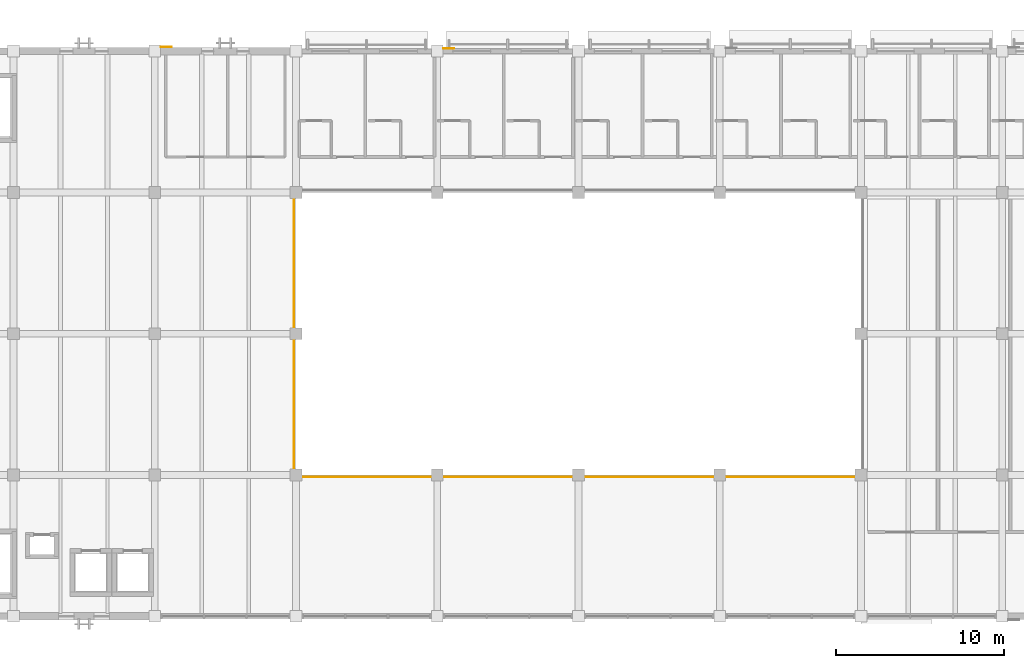
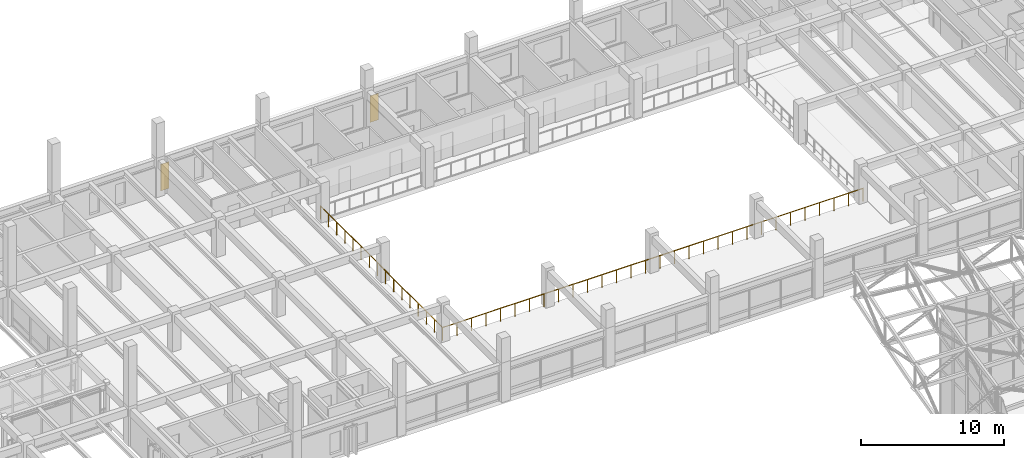
# One storey, part 120 of 123: 2 coverings, 2 railings.
"""IFC4 building model written with IfcOpenShell, lengths in metres."""

from ifc_helpers import new_model, si_unit, direction, frame, origin, origin_2d, place, context, subcontext, project, spatial, polyline, circle, outline, extrude, material, layer, layer_set, type_object, element, save


model = new_model("IFC4")

# Units and contexts
model_context = context("Model", 3, precision=1e-05, world=origin(), true_north=direction((0.0, 1.0)))
body_context = subcontext(model_context, "Body", "Model", "MODEL_VIEW")
ifc_project = project(units=[si_unit("LENGTHUNIT", "METRE"), si_unit("AREAUNIT", "SQUARE_METRE"), si_unit("VOLUMEUNIT", "CUBIC_METRE"), si_unit("PLANEANGLEUNIT", "RADIAN"), si_unit("MASSUNIT", "GRAM", prefix="KILO")], contexts=[model_context])

# Site, building, storey
site_placement = place(None, origin())
site = spatial("IfcSite", under=ifc_project, at=site_placement, CompositionType="ELEMENT")
building_placement = place(site_placement, origin())
building = spatial("IfcBuilding", under=site, at=building_placement, Name="Cumbredor Promenade Congress Hotel", CompositionType="ELEMENT")
storey_placement = place(building_placement, frame((0.0, 0.0, 11.760009765625)))
storey = spatial("IfcBuildingStorey", under=building, at=storey_placement, Name="L03", CompositionType="ELEMENT", Elevation=11.760009765625)

# Covering
ifc_material_1 = material(Name="Precast concrete C40/50", Category="concrete")
ifc_layer_1 = layer(ifc_material_1, 0.044921875, Name="Precast concrete C40/50", Category="concrete")
ifc_layer_set_1 = layer_set([ifc_layer_1], Name="Precast concrete C40/50")
covering_type_1 = type_object("IfcCoveringType", Name="Board-Formed Architectural Cladding Panel 45mm", PredefinedType="CLADDING", material=ifc_layer_set_1)
covering_1_placement = place(storey_placement, origin())
element("IfcCovering", 1, at=covering_1_placement, inside=storey, type_object=covering_type_1, Name="L03 Facade Stone Cladding Pier 144", PredefinedType="CLADDING", context=body_context, shape_type="SweptSolid", body=[
    extrude(outline(polyline([(109.551025390625, 117.824951171875), (110.200927734375, 117.824951171875), (110.200927734375, 117.8701171875), (109.551025390625, 117.8701171875), (109.551025390625, 117.824951171875)])), origin(), (0.0, 0.0, 1.0), 2.25),
])

# Railings
ifc_material_2 = material(Name="Brushed stainless steel", Category="steel")
railing_type = type_object("IfcRailingType", Name="Interior Void & Stair Guardrail GR-1100", PredefinedType="GUARDRAIL", material=ifc_material_2)
railing_1_placement = place(storey_placement, frame((117.47998046875, 92.280029296875, 0.0)))
element("IfcRailing", 2, at=railing_1_placement, inside=storey, type_object=railing_type, Name="L03 v4_forum_atrium Void Perimeter Guardrail 1", PredefinedType="GUARDRAIL", context=body_context, shape_type="SweptSolid", body=[
    extrude(circle(Radius=0.02392578125, at=origin_2d()), frame((0.0, 0.0, 1.09619140625), z_axis=(1.0, 0.0, 0.0), x_axis=(0.0, 1.0, 0.0)), (0.0, 0.0, 1.0), 33.840087890625),
    extrude(circle(Radius=0.02099609375, at=origin_2d()), origin(), (0.0, 0.0, 1.0), 1.072021484375),
    extrude(circle(Radius=0.02099609375, at=origin_2d()), frame((1.1669921875, 0.0, 0.0)), (0.0, 0.0, 1.0), 1.072021484375),
    extrude(circle(Radius=0.02099609375, at=origin_2d()), frame((2.333740234375, 0.0, 0.0)), (0.0, 0.0, 1.0), 1.072021484375),
    extrude(circle(Radius=0.02099609375, at=origin_2d()), frame((3.500732421875, 0.0, 0.0)), (0.0, 0.0, 1.0), 1.072021484375),
    extrude(circle(Radius=0.02099609375, at=origin_2d()), frame((4.66748046875, 0.0, 0.0)), (0.0, 0.0, 1.0), 1.072021484375),
    extrude(circle(Radius=0.02099609375, at=origin_2d()), frame((5.83447265625, 0.0, 0.0)), (0.0, 0.0, 1.0), 1.072021484375),
    extrude(circle(Radius=0.02099609375, at=origin_2d()), frame((7.00146484375, 0.0, 0.0)), (0.0, 0.0, 1.0), 1.072021484375),
    extrude(circle(Radius=0.02099609375, at=origin_2d()), frame((8.168212890625, 0.0, 0.0)), (0.0, 0.0, 1.0), 1.072021484375),
    extrude(circle(Radius=0.02099609375, at=origin_2d()), frame((9.335205078125, 0.0, 0.0)), (0.0, 0.0, 1.0), 1.072021484375),
    extrude(circle(Radius=0.02099609375, at=origin_2d()), frame((10.502197265625, 0.0, 0.0)), (0.0, 0.0, 1.0), 1.072021484375),
    extrude(circle(Radius=0.02099609375, at=origin_2d()), frame((11.6689453125, 0.0, 0.0)), (0.0, 0.0, 1.0), 1.072021484375),
    extrude(circle(Radius=0.02099609375, at=origin_2d()), frame((12.8359375, 0.0, 0.0)), (0.0, 0.0, 1.0), 1.072021484375),
    extrude(circle(Radius=0.02099609375, at=origin_2d()), frame((14.002685546875, 0.0, 0.0)), (0.0, 0.0, 1.0), 1.072021484375),
    extrude(circle(Radius=0.02099609375, at=origin_2d()), frame((15.169677734375, 0.0, 0.0)), (0.0, 0.0, 1.0), 1.072021484375),
    extrude(circle(Radius=0.02099609375, at=origin_2d()), frame((16.336669921875, 0.0, 0.0)), (0.0, 0.0, 1.0), 1.072021484375),
    extrude(circle(Radius=0.02099609375, at=origin_2d()), frame((17.50341796875, 0.0, 0.0)), (0.0, 0.0, 1.0), 1.072021484375),
    extrude(circle(Radius=0.02099609375, at=origin_2d()), frame((18.67041015625, 0.0, 0.0)), (0.0, 0.0, 1.0), 1.072021484375),
    extrude(circle(Radius=0.02099609375, at=origin_2d()), frame((19.83740234375, 0.0, 0.0)), (0.0, 0.0, 1.0), 1.072021484375),
    extrude(circle(Radius=0.02099609375, at=origin_2d()), frame((21.004150390625, 0.0, 0.0)), (0.0, 0.0, 1.0), 1.072021484375),
    extrude(circle(Radius=0.02099609375, at=origin_2d()), frame((22.171142578125, 0.0, 0.0)), (0.0, 0.0, 1.0), 1.072021484375),
    extrude(circle(Radius=0.02099609375, at=origin_2d()), frame((23.337890625, 0.0, 0.0)), (0.0, 0.0, 1.0), 1.072021484375),
    extrude(circle(Radius=0.02099609375, at=origin_2d()), frame((24.5048828125, 0.0, 0.0)), (0.0, 0.0, 1.0), 1.072021484375),
    extrude(circle(Radius=0.02099609375, at=origin_2d()), frame((25.671875, 0.0, 0.0)), (0.0, 0.0, 1.0), 1.072021484375),
    extrude(circle(Radius=0.02099609375, at=origin_2d()), frame((26.838623046875, 0.0, 0.0)), (0.0, 0.0, 1.0), 1.072021484375),
    extrude(circle(Radius=0.02099609375, at=origin_2d()), frame((28.005615234375, 0.0, 0.0)), (0.0, 0.0, 1.0), 1.072021484375),
    extrude(circle(Radius=0.02099609375, at=origin_2d()), frame((29.172607421875, 0.0, 0.0)), (0.0, 0.0, 1.0), 1.072021484375),
    extrude(circle(Radius=0.02099609375, at=origin_2d()), frame((30.33935546875, 0.0, 0.0)), (0.0, 0.0, 1.0), 1.072021484375),
    extrude(circle(Radius=0.02099609375, at=origin_2d()), frame((31.50634765625, 0.0, 0.0)), (0.0, 0.0, 1.0), 1.072021484375),
    extrude(circle(Radius=0.02099609375, at=origin_2d()), frame((32.673095703125, 0.0, 0.0)), (0.0, 0.0, 1.0), 1.072021484375),
    extrude(circle(Radius=0.02099609375, at=origin_2d()), frame((33.840087890625, 0.0, 0.0)), (0.0, 0.0, 1.0), 1.072021484375),
])
railing_2_placement = place(storey_placement, frame((117.47998046875, 109.320068359375, 0.0)))
element("IfcRailing", 3, at=railing_2_placement, inside=storey, type_object=railing_type, Name="L03 v4_forum_atrium Void Perimeter Guardrail 4", PredefinedType="GUARDRAIL", context=body_context, shape_type="SweptSolid", body=[
    extrude(circle(Radius=0.02392578125, at=origin_2d()), frame((0.0, 0.0, 1.09619140625), z_axis=(0.0, -1.0, 0.0), x_axis=(1.0, 0.0, 0.0)), (0.0, 0.0, 1.0), 17.0400390625),
    extrude(circle(Radius=0.02099609375, at=origin_2d()), origin(), (0.0, 0.0, 1.0), 1.072021484375),
    extrude(circle(Radius=0.02099609375, at=origin_2d()), frame((0.0, -1.135986328125, 0.0)), (0.0, 0.0, 1.0), 1.072021484375),
    extrude(circle(Radius=0.02099609375, at=origin_2d()), frame((0.0, -2.27197265625, 0.0)), (0.0, 0.0, 1.0), 1.072021484375),
    extrude(circle(Radius=0.02099609375, at=origin_2d()), frame((0.0, -3.407958984375, 0.0)), (0.0, 0.0, 1.0), 1.072021484375),
    extrude(circle(Radius=0.02099609375, at=origin_2d()), frame((0.0, -4.5439453125, 0.0)), (0.0, 0.0, 1.0), 1.072021484375),
    extrude(circle(Radius=0.02099609375, at=origin_2d()), frame((0.0, -5.679931640625, 0.0)), (0.0, 0.0, 1.0), 1.072021484375),
    extrude(circle(Radius=0.02099609375, at=origin_2d()), frame((0.0, -6.81591796875, 0.0)), (0.0, 0.0, 1.0), 1.072021484375),
    extrude(circle(Radius=0.02099609375, at=origin_2d()), frame((0.0, -7.951904296875, 0.0)), (0.0, 0.0, 1.0), 1.072021484375),
    extrude(circle(Radius=0.02099609375, at=origin_2d()), frame((0.0, -9.088134765625, 0.0)), (0.0, 0.0, 1.0), 1.072021484375),
    extrude(circle(Radius=0.02099609375, at=origin_2d()), frame((0.0, -10.22412109375, 0.0)), (0.0, 0.0, 1.0), 1.072021484375),
    extrude(circle(Radius=0.02099609375, at=origin_2d()), frame((0.0, -11.360107421875, 0.0)), (0.0, 0.0, 1.0), 1.072021484375),
    extrude(circle(Radius=0.02099609375, at=origin_2d()), frame((0.0, -12.49609375, 0.0)), (0.0, 0.0, 1.0), 1.072021484375),
    extrude(circle(Radius=0.02099609375, at=origin_2d()), frame((0.0, -13.632080078125, 0.0)), (0.0, 0.0, 1.0), 1.072021484375),
    extrude(circle(Radius=0.02099609375, at=origin_2d()), frame((0.0, -14.76806640625, 0.0)), (0.0, 0.0, 1.0), 1.072021484375),
    extrude(circle(Radius=0.02099609375, at=origin_2d()), frame((0.0, -15.904052734375, 0.0)), (0.0, 0.0, 1.0), 1.072021484375),
    extrude(circle(Radius=0.02099609375, at=origin_2d()), frame((0.0, -17.0400390625, 0.0)), (0.0, 0.0, 1.0), 1.072021484375),
])

# Covering
ifc_material_3 = material(Name="Volcanic andesite ashlar cladding", Category="masonry")
ifc_layer_2 = layer(ifc_material_3, 0.034912109375, Name="Volcanic andesite ashlar cladding", Category="masonry")
ifc_layer_set_2 = layer_set([ifc_layer_2], Name="Volcanic andesite ashlar cladding")
covering_type_2 = type_object("IfcCoveringType", Name="Volcanic Andesite Ashlar Rainscreen Cladding 35mm", PredefinedType="CLADDING", material=ifc_layer_set_2)
covering_2_placement = place(storey_placement, origin())
element("IfcCovering", 4, at=covering_2_placement, inside=storey, type_object=covering_type_2, Name="L03 Facade Stone Cladding Pier 145", PredefinedType="CLADDING", context=body_context, shape_type="SweptSolid", body=[
    extrude(outline(polyline([(126.35107421875, 117.739990234375), (127.0009765625, 117.739990234375), (127.0009765625, 117.77490234375), (126.35107421875, 117.77490234375), (126.35107421875, 117.739990234375)])), origin(), (0.0, 0.0, 1.0), 2.25),
])

save(model, "model.ifc")
